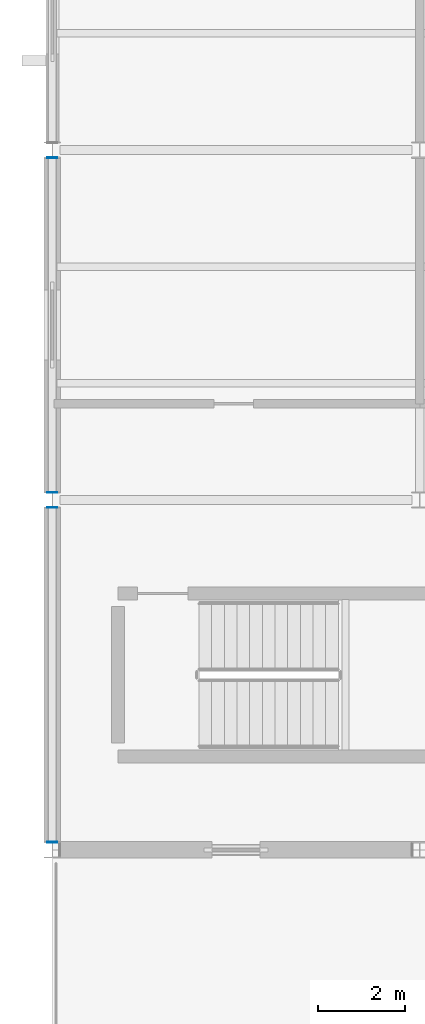
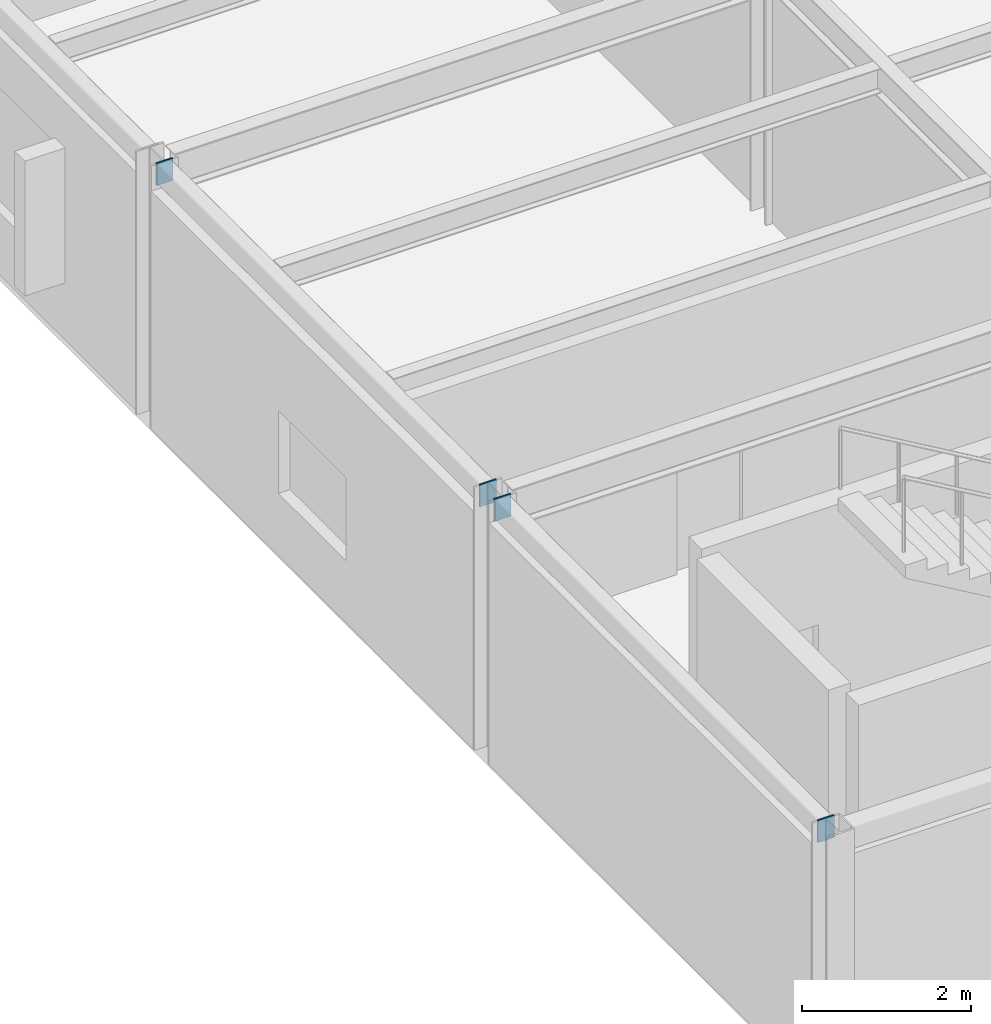
# One storey, part 83 of 138: 4 discrete accessories.
"""IFC4 building model written with IfcOpenShell, lengths in metres."""

from ifc_helpers import new_model, si_unit, direction, frame, origin, origin_2d, place, context, subcontext, project, spatial, rectangle, extrude, material, layer, layer_set, type_object, element, save


model = new_model("IFC4")

# Units and contexts
model_context = context("Model", 3, precision=1e-05, world=origin(), true_north=direction((0.0, 1.0)))
body_context = subcontext(model_context, "Body", "Model", "MODEL_VIEW")
ifc_project = project(units=[si_unit("LENGTHUNIT", "METRE"), si_unit("AREAUNIT", "SQUARE_METRE"), si_unit("VOLUMEUNIT", "CUBIC_METRE"), si_unit("PLANEANGLEUNIT", "RADIAN"), si_unit("MASSUNIT", "GRAM", prefix="KILO")], contexts=[model_context])

# Site, building, storey
site_placement = place(None, origin())
site = spatial("IfcSite", under=ifc_project, at=site_placement, CompositionType="ELEMENT")
building_placement = place(site_placement, origin())
building = spatial("IfcBuilding", under=site, at=building_placement, Name="Kranzveld Transit Interchange", CompositionType="ELEMENT")
storey_placement = place(building_placement, frame((0.0, 0.0, 5.43994140625)))
storey = spatial("IfcBuildingStorey", under=building, at=storey_placement, Name="L01", CompositionType="ELEMENT", Elevation=5.43994140625)

# Discrete accessories
ifc_material = material(Name="Steel S355JR", Category="steel")
ifc_layer = layer(ifc_material, 0.02001953125)
ifc_layer_set = layer_set([ifc_layer], Name="Steel S355JR")
discrete_accessory_type = type_object("IfcDiscreteAccessoryType", Name="Hollow Section End Cap Bracket 20 S355JR", PredefinedType="BRACKET", material=ifc_layer_set)
for number, where, z_axis, x_axis, name in (
    (1, (0.0, 16.181396484375, 3.650146484375), (0.0, -1.0, 0.0), (1.0, 0.0, 0.0), "Hollow Section End Cap SP-RHS300-1"),
    (2, (0.0, 23.818603515625, 3.650146484375), (0.0, 1.0, 0.0), (-1.0, 0.0, 0.0), "Hollow Section End Cap SP-RHS300-2"),
    (3, (0.0, 24.181396484375, 3.650146484375), (0.0, -1.0, 0.0), (1.0, 0.0, 0.0), "Hollow Section End Cap SP-RHS300-1"),
    (4, (0.0, 31.818603515625, 3.650146484375), (0.0, 1.0, 0.0), (-1.0, 0.0, 0.0), "Hollow Section End Cap SP-RHS300-2"),
):
    element("IfcDiscreteAccessory", number, at=place(storey_placement, frame(where, z_axis=z_axis, x_axis=x_axis)), inside=storey, type_object=discrete_accessory_type, Name=name, PredefinedType="BRACKET", context=body_context, shape_type="SweptSolid", body=[
        extrude(rectangle(XDim=0.22412109375, YDim=0.323974609375, at=origin_2d()), origin(), (0.0, 0.0, 1.0), 0.02001953125),
    ])

save(model, "model.ifc")
